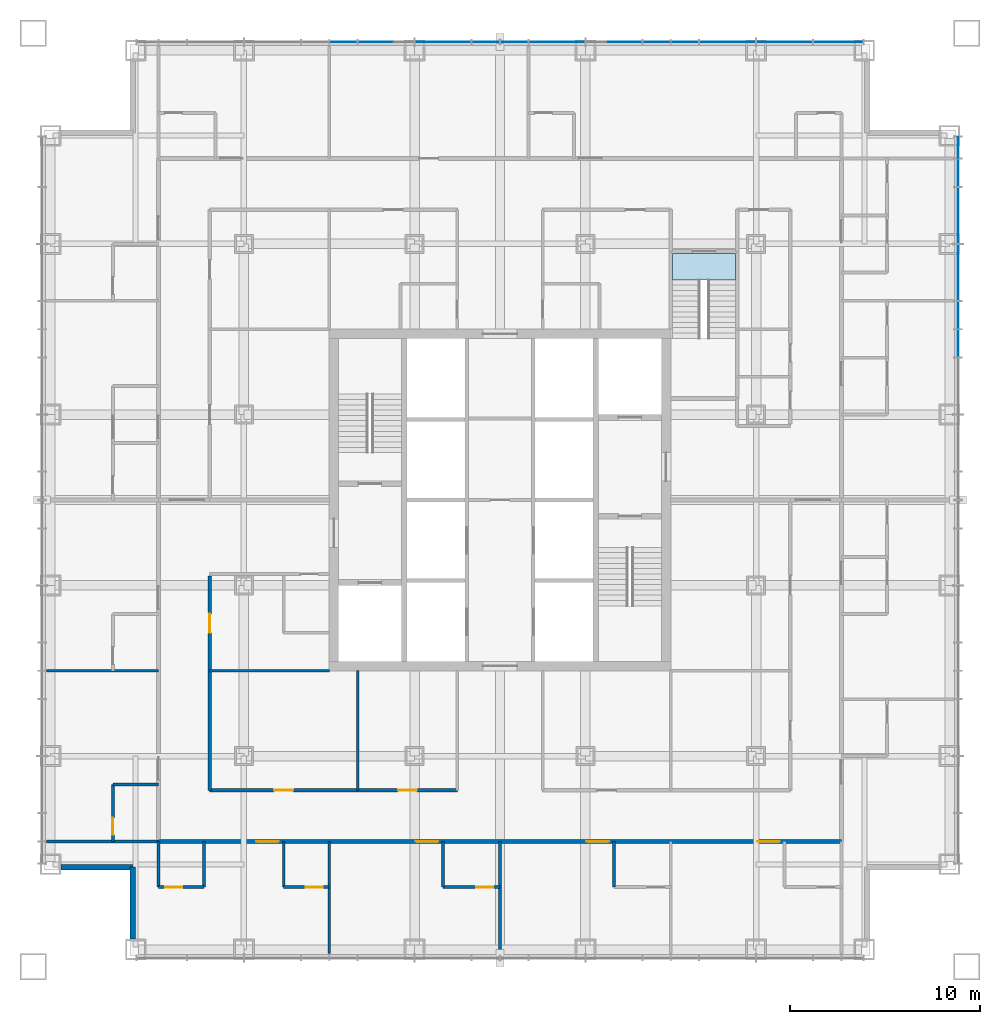
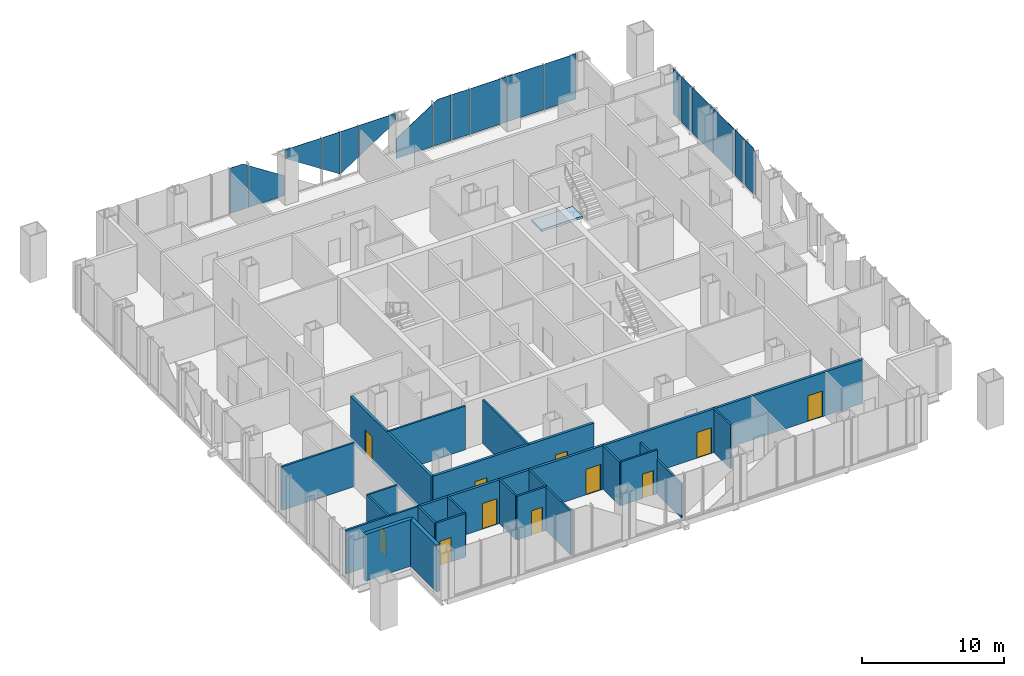
# One storey, part 8 of 13: 21 walls, 18 plates, 11 doors, 1 slab, 11 openings, 3 elements without a shape of their own.
"""IFC4 building model written with IfcOpenShell, lengths in metres."""

from ifc_helpers import new_model, si_unit, direction, frame, frame_2d, origin, origin_2d, place, context, subcontext, project, spatial, polyline, rectangle, outline, extrude, material, layer, layer_set, type_object, element, fill, aggregate, save


model = new_model("IFC4")

# Units and contexts
model_context = context("Model", 3, precision=1e-05, world=origin(), true_north=direction((0.0, 1.0)))
body_context = subcontext(model_context, "Body", "Model", "MODEL_VIEW")
ifc_project = project(units=[si_unit("LENGTHUNIT", "METRE"), si_unit("AREAUNIT", "SQUARE_METRE"), si_unit("VOLUMEUNIT", "CUBIC_METRE"), si_unit("PLANEANGLEUNIT", "RADIAN"), si_unit("MASSUNIT", "GRAM", prefix="KILO")], contexts=[model_context])

# Site, building, storey
site_placement = place(None, origin())
site = spatial("IfcSite", under=ifc_project, at=site_placement, CompositionType="ELEMENT")
building_placement = place(site_placement, origin())
building = spatial("IfcBuilding", under=site, at=building_placement, Name="Malebo Sky Hospital", CompositionType="ELEMENT")
storey_placement = place(building_placement, frame((0.0, 0.0, 156.0)))
storey = spatial("IfcBuildingStorey", under=building, at=storey_placement, Name="L37", CompositionType="ELEMENT", Elevation=156.0)

# Stair, slab
ifc_material_1 = material(Name="Concrete C40/50", Category="concrete")
stair_type = type_object("IfcStairType", Name="HALF-TURN STAIR 1400 R167", PredefinedType="HALF_TURN_STAIR", material=ifc_material_1)
stair_placement = place(storey_placement, origin())
stair = element("IfcStair", 1, at=stair_placement, inside=storey, type_object=stair_type, Name="Stair S3 L37 type ST1B", PredefinedType="HALF_TURN_STAIR")
ifc_layer_1 = layer(ifc_material_1, 0.199951171875)
ifc_layer_set_1 = layer_set([ifc_layer_1], Name="STAIR LANDING 200")
slab_type = type_object("IfcSlabType", Name="STAIR LANDING 200", PredefinedType="LANDING", material=ifc_layer_set_1)
slab_placement = place(storey_placement, frame((0.0, 0.0, -0.199951171875)))
slab = element("IfcSlab", 2, at=slab_placement, type_object=slab_type, Name="S3 landing 1", PredefinedType="LANDING", context=body_context, shape_type="SweptSolid", body=[
    extrude(outline(polyline([(69.10009765625, 73.60009765625), (72.39990234375, 73.60009765625), (72.39990234375, 75.0), (69.10009765625, 75.0), (69.10009765625, 73.60009765625)])), origin(), (0.0, 0.0, 1.0), 0.199951171875),
])
aggregate(stair, [slab])

# Curtain wall, plates
ifc_material_2 = material(Name="Anodised aluminium, natural silver", Category="aluminium")
ifc_layer_2 = layer(ifc_material_2, 0.25)
ifc_layer_set_2 = layer_set([ifc_layer_2], Name="WARD CURTAIN WALL NORTH AND SOUTH")
curtain_wall_type_1 = type_object("IfcCurtainWallType", Name="WARD CURTAIN WALL NORTH AND SOUTH", PredefinedType="NOTDEFINED", material=ifc_layer_set_2)
curtain_wall_1_placement = place(storey_placement, origin())
curtain_wall_1 = element("IfcCurtainWall", 3, at=curtain_wall_1_placement, inside=storey, type_object=curtain_wall_type_1, Name="NS curtain wall N", PredefinedType="NOTDEFINED")
ifc_material_3 = material(Name="Clear low-iron double glazing", Category="glass")
ifc_layer_3 = layer(ifc_material_3, 0.031982421875)
ifc_layer_set_3 = layer_set([ifc_layer_3], Name="VISION PANEL CLEAR 32")
plate_type = type_object("IfcPlateType", Name="VISION PANEL CLEAR 32", PredefinedType="CURTAIN_PANEL", material=ifc_layer_set_3)
plate_1_placement = place(storey_placement, frame((51.75, 86.135009765625, 0.10009765625), z_axis=(0.0, 0.0, 1.0), x_axis=(1.0, 0.0, 0.0)))
plate_1 = element("IfcPlate", 4, at=plate_1_placement, type_object=plate_type, Name="Panel 6", PredefinedType="CURTAIN_PANEL", context=body_context, shape_type="SweptSolid", body=[
    extrude(outline(polyline([(-0.71240234375, 0.0), (0.71240234375, 0.0), (0.71240234375, 3.656494140625), (0.353271484375, 3.889892578125), (-0.71240234375, 3.889892578125), (-0.71240234375, 0.0)])), frame((0.0, 0.01611328125, 0.0), z_axis=(0.0, -1.0, 0.0), x_axis=(1.0, 0.0, 0.0)), (0.0, 0.0, 1.0), 0.031982421875),
])
plate_2_placement = place(storey_placement, frame((54.0, 86.135009765625, 0.10009765625), z_axis=(0.0, 0.0, 1.0), x_axis=(1.0, 0.0, 0.0)))
plate_2 = element("IfcPlate", 5, at=plate_2_placement, type_object=plate_type, Name="Panel 7", PredefinedType="CURTAIN_PANEL", context=body_context, shape_type="SweptSolid", body=[
    extrude(outline(polyline([(-1.46240234375, 0.0), (1.46240234375, 0.0), (1.46240234375, 1.705078125), (-1.46240234375, 3.607666015625), (-1.46240234375, 0.0)])), frame((0.0, 0.01611328125, 0.0), z_axis=(0.0, -1.0, 0.0), x_axis=(1.0, 0.0, 0.0)), (0.0, 0.0, 1.0), 0.031982421875),
])
plate_3_placement = place(storey_placement, frame((57.0, 86.135009765625, 1.34619140625), z_axis=(0.0, 0.0, 1.0), x_axis=(1.0, 0.0, 0.0)))
plate_3 = element("IfcPlate", 6, at=plate_3_placement, type_object=plate_type, Name="Panel 8", PredefinedType="CURTAIN_PANEL", context=body_context, shape_type="SweptSolid", body=[
    extrude(outline(polyline([(1.46240234375, 0.0), (1.46240234375, 2.643798828125), (-1.46240234375, 2.643798828125), (-1.46240234375, 1.90234375), (1.46240234375, 0.0)])), frame((0.0, 0.01611328125, 0.0), z_axis=(0.0, -1.0, 0.0), x_axis=(1.0, 0.0, 0.0)), (0.0, 0.0, 1.0), 0.031982421875),
])
plate_4_placement = place(storey_placement, frame((59.25, 86.135009765625, 0.37060546875), z_axis=(0.0, 0.0, 1.0), x_axis=(1.0, 0.0, 0.0)))
plate_4 = element("IfcPlate", 7, at=plate_4_placement, type_object=plate_type, Name="Panel 9", PredefinedType="CURTAIN_PANEL", context=body_context, shape_type="SweptSolid", body=[
    extrude(outline(polyline([(0.71240234375, 0.0), (0.71240234375, 3.619384765625), (-0.71240234375, 3.619384765625), (-0.71240234375, 0.9267578125), (0.71240234375, 0.0)])), frame((0.0, 0.01611328125, 0.0), z_axis=(0.0, -1.0, 0.0), x_axis=(1.0, 0.0, 0.0)), (0.0, 0.0, 1.0), 0.031982421875),
])
plate_5_placement = place(storey_placement, frame((60.75, 86.135009765625, 0.37060546875), z_axis=(0.0, 0.0, 1.0), x_axis=(1.0, 0.0, 0.0)))
plate_5 = element("IfcPlate", 8, at=plate_5_placement, type_object=plate_type, Name="Panel 10", PredefinedType="CURTAIN_PANEL", context=body_context, shape_type="SweptSolid", body=[
    extrude(outline(polyline([(-0.71240234375, 0.0), (0.71240234375, 0.9267578125), (0.71240234375, 3.619384765625), (-0.71240234375, 3.619384765625), (-0.71240234375, 0.0)])), frame((0.0, 0.01611328125, 0.0), z_axis=(0.0, -1.0, 0.0), x_axis=(1.0, 0.0, 0.0)), (0.0, 0.0, 1.0), 0.031982421875),
])
plate_6_placement = place(storey_placement, frame((63.0, 86.135009765625, 1.34619140625), z_axis=(0.0, 0.0, 1.0), x_axis=(1.0, 0.0, 0.0)))
plate_6 = element("IfcPlate", 9, at=plate_6_placement, type_object=plate_type, Name="Panel 11", PredefinedType="CURTAIN_PANEL", context=body_context, shape_type="SweptSolid", body=[
    extrude(outline(polyline([(-1.46240234375, 0.0), (1.46240234375, 1.90234375), (1.46240234375, 2.643798828125), (-1.46240234375, 2.643798828125), (-1.46240234375, 0.0)])), frame((0.0, 0.01611328125, 0.0), z_axis=(0.0, -1.0, 0.0), x_axis=(1.0, 0.0, 0.0)), (0.0, 0.0, 1.0), 0.031982421875),
])
plate_7_placement = place(storey_placement, frame((66.0, 86.135009765625, 0.10009765625), z_axis=(0.0, 0.0, 1.0), x_axis=(1.0, 0.0, 0.0)))
plate_7 = element("IfcPlate", 10, at=plate_7_placement, type_object=plate_type, Name="Panel 12", PredefinedType="CURTAIN_PANEL", context=body_context, shape_type="SweptSolid", body=[
    extrude(outline(polyline([(-1.46240234375, 0.0), (1.46240234375, 0.0), (1.46240234375, 3.607666015625), (-1.46240234375, 1.705078125), (-1.46240234375, 0.0)])), frame((0.0, 0.01611328125, 0.0), z_axis=(0.0, -1.0, 0.0), x_axis=(1.0, 0.0, 0.0)), (0.0, 0.0, 1.0), 0.031982421875),
])
plate_8_placement = place(storey_placement, frame((68.25, 86.135009765625, 0.10009765625), z_axis=(0.0, 0.0, 1.0), x_axis=(1.0, 0.0, 0.0)))
plate_8 = element("IfcPlate", 11, at=plate_8_placement, type_object=plate_type, Name="Panel 13", PredefinedType="CURTAIN_PANEL", context=body_context, shape_type="SweptSolid", body=[
    extrude(outline(polyline([(-0.71240234375, 0.0), (0.71240234375, 0.0), (0.71240234375, 3.889892578125), (-0.353271484375, 3.889892578125), (-0.71240234375, 3.656494140625), (-0.71240234375, 0.0)])), frame((0.0, 0.01611328125, 0.0), z_axis=(0.0, -1.0, 0.0), x_axis=(1.0, 0.0, 0.0)), (0.0, 0.0, 1.0), 0.031982421875),
])
plate_9_placement = place(storey_placement, frame((69.75, 86.135009765625, 0.10009765625), z_axis=(0.0, 0.0, 1.0), x_axis=(1.0, 0.0, 0.0)))
plate_9 = element("IfcPlate", 12, at=plate_9_placement, type_object=plate_type, Name="Panel 14", PredefinedType="CURTAIN_PANEL", context=body_context, shape_type="SweptSolid", body=[
    extrude(rectangle(XDim=1.425048828125, YDim=0.031982421875, at=origin_2d()), origin(), (0.0, 0.0, 1.0), 3.889892578125),
])
plate_10_placement = place(storey_placement, frame((72.0, 86.135009765625, 0.10009765625), z_axis=(0.0, 0.0, 1.0), x_axis=(1.0, 0.0, 0.0)))
plate_10 = element("IfcPlate", 13, at=plate_10_placement, type_object=plate_type, Name="Panel 15", PredefinedType="CURTAIN_PANEL", context=body_context, shape_type="SweptSolid", body=[
    extrude(rectangle(XDim=2.925048828125, YDim=0.031982421875, at=origin_2d()), origin(), (0.0, 0.0, 1.0), 3.889892578125),
])
plate_11_placement = place(storey_placement, frame((75.0, 86.135009765625, 0.10009765625), z_axis=(0.0, 0.0, 1.0), x_axis=(1.0, 0.0, 0.0)))
plate_11 = element("IfcPlate", 14, at=plate_11_placement, type_object=plate_type, Name="Panel 16", PredefinedType="CURTAIN_PANEL", context=body_context, shape_type="SweptSolid", body=[
    extrude(rectangle(XDim=2.925048828125, YDim=0.031982421875, at=origin_2d()), origin(), (0.0, 0.0, 1.0), 3.889892578125),
])
plate_12_placement = place(storey_placement, frame((77.831298828125, 86.135009765625, 0.10009765625), z_axis=(0.0, 0.0, 1.0), x_axis=(1.0, 0.0, 0.0)))
plate_12 = element("IfcPlate", 15, at=plate_12_placement, type_object=plate_type, Name="Panel 17", PredefinedType="CURTAIN_PANEL", context=body_context, shape_type="SweptSolid", body=[
    extrude(rectangle(XDim=2.58740234375, YDim=0.031982421875, at=origin_2d()), origin(), (0.0, 0.0, 1.0), 3.889892578125),
])
aggregate(curtain_wall_1, [plate_1, plate_2, plate_3, plate_4, plate_5, plate_6, plate_7, plate_8, plate_9, plate_10, plate_11, plate_12])

ifc_layer_4 = layer(ifc_material_2, 0.25)
ifc_layer_set_4 = layer_set([ifc_layer_4], Name="WARD CURTAIN WALL EAST AND WEST")
curtain_wall_type_2 = type_object("IfcCurtainWallType", Name="WARD CURTAIN WALL EAST AND WEST", PredefinedType="NOTDEFINED", material=ifc_layer_set_4)
curtain_wall_2_placement = place(storey_placement, origin())
curtain_wall_2 = element("IfcCurtainWall", 16, at=curtain_wall_2_placement, inside=storey, type_object=curtain_wall_type_2, Name="EW curtain wall E", PredefinedType="NOTDEFINED")
plate_13_placement = place(storey_placement, frame((84.135009765625, 80.581298828125, 0.10009765625), z_axis=(0.0, 0.0, 1.0), x_axis=(0.0, -1.0, 0.0)))
plate_13 = element("IfcPlate", 17, at=plate_13_placement, type_object=plate_type, Name="Panel 1", PredefinedType="CURTAIN_PANEL", context=body_context, shape_type="SweptSolid", body=[
    extrude(rectangle(XDim=1.08740234375, YDim=0.031982421875, at=origin_2d()), origin(), (0.0, 0.0, 1.0), 3.889892578125),
])
plate_14_placement = place(storey_placement, frame((84.135009765625, 79.25, 0.10009765625), z_axis=(0.0, 0.0, 1.0), x_axis=(0.0, -1.0, 0.0)))
plate_14 = element("IfcPlate", 18, at=plate_14_placement, type_object=plate_type, Name="Panel 2", PredefinedType="CURTAIN_PANEL", context=body_context, shape_type="SweptSolid", body=[
    extrude(rectangle(XDim=1.425048828125, YDim=0.031982421875, at=origin_2d()), origin(), (0.0, 0.0, 1.0), 3.889892578125),
])
plate_15_placement = place(storey_placement, frame((84.135009765625, 77.0, 0.10009765625), z_axis=(0.0, 0.0, 1.0), x_axis=(0.0, -1.0, 0.0)))
plate_15 = element("IfcPlate", 19, at=plate_15_placement, type_object=plate_type, Name="Panel 3", PredefinedType="CURTAIN_PANEL", context=body_context, shape_type="SweptSolid", body=[
    extrude(rectangle(XDim=2.925048828125, YDim=0.031982421875, at=origin_2d()), origin(), (0.0, 0.0, 1.0), 3.889892578125),
])
plate_16_placement = place(storey_placement, frame((84.135009765625, 74.0, 0.10009765625), z_axis=(0.0, 0.0, 1.0), x_axis=(0.0, -1.0, 0.0)))
plate_16 = element("IfcPlate", 20, at=plate_16_placement, type_object=plate_type, Name="Panel 4", PredefinedType="CURTAIN_PANEL", context=body_context, shape_type="SweptSolid", body=[
    extrude(rectangle(XDim=2.925048828125, YDim=0.031982421875, at=origin_2d()), origin(), (0.0, 0.0, 1.0), 3.889892578125),
])
plate_17_placement = place(storey_placement, frame((84.135009765625, 71.75, 0.10009765625), z_axis=(0.0, 0.0, 1.0), x_axis=(0.0, -1.0, 0.0)))
plate_17 = element("IfcPlate", 21, at=plate_17_placement, type_object=plate_type, Name="Panel 5", PredefinedType="CURTAIN_PANEL", context=body_context, shape_type="SweptSolid", body=[
    extrude(rectangle(XDim=1.425048828125, YDim=0.031982421875, at=origin_2d()), origin(), (0.0, 0.0, 1.0), 3.889892578125),
])
plate_18_placement = place(storey_placement, frame((84.135009765625, 70.25, 0.10009765625), z_axis=(0.0, 0.0, 1.0), x_axis=(0.0, -1.0, 0.0)))
plate_18 = element("IfcPlate", 22, at=plate_18_placement, type_object=plate_type, Name="Panel 6", PredefinedType="CURTAIN_PANEL", context=body_context, shape_type="SweptSolid", body=[
    extrude(outline(polyline([(-0.71240234375, 0.0), (0.71240234375, 0.0), (0.71240234375, 3.656494140625), (0.353271484375, 3.889892578125), (-0.71240234375, 3.889892578125), (-0.71240234375, 0.0)])), frame((0.0, 0.01611328125, 0.0), z_axis=(0.0, -1.0, 0.0), x_axis=(1.0, 0.0, 0.0)), (0.0, 0.0, 1.0), 0.031982421875),
])
aggregate(curtain_wall_2, [plate_13, plate_14, plate_15, plate_16, plate_17, plate_18])

# Wall, opening, door
ifc_material_4 = material(Name="Gypsum board on steel studs", Category="steel")
ifc_layer_5 = layer(ifc_material_4, 0.199951171875)
ifc_layer_set_5 = layer_set([ifc_layer_5], Name="CORRIDOR WALL 200")
wall_type_1 = type_object("IfcWallType", Name="CORRIDOR WALL 200", PredefinedType="PARTITIONING", material=ifc_layer_set_5)
wall_1_placement = place(storey_placement, frame((44.699951171875, 46.699951171875, 0.0), z_axis=(0.0, 0.0, 1.0), x_axis=(0.0, 1.0, 0.0)))
wall_1 = element("IfcWall", 23, at=wall_1_placement, inside=storey, type_object=wall_type_1, Name="Corridor Wall 200 WCI1", PredefinedType="PARTITIONING", context=body_context, shape_type="SweptSolid", body=[
    extrude(rectangle(XDim=11.300048828125, YDim=0.199951171875, at=frame_2d((5.64990234375, 0.0))), origin(), (0.0, 0.0, 1.0), 3.75),
])
opening_1_placement = place(wall_1_placement, frame((8.300048828125, 0.0, 0.0)))
opening_1 = element("IfcOpeningElement", 24, at=opening_1_placement, cuts=wall_1, Name="Opening D03", PredefinedType="OPENING", context=body_context, shape_type="SweptSolid", body=[
    extrude(rectangle(XDim=1.0, YDim=2.10009765625, at=frame_2d((0.5, 1.050048828125))), frame((0.0, 0.10986328125, 0.0), z_axis=(0.0, -1.0, 0.0), x_axis=(1.0, 0.0, 0.0)), (0.0, 0.0, 1.0), 0.219970703125),
])
ifc_material_5 = material(Name="Hardwood-faced door leaf in steel frame", Category="steel")
door_type_1 = type_object("IfcDoorType", Name="ROOM DOOR 1000", OperationType="SINGLE_SWING_LEFT", PredefinedType="DOOR", material=ifc_material_5)
door_1_placement = place(opening_1_placement, origin())
door_1 = element("IfcDoor", 25, at=door_1_placement, inside=storey, type_object=door_type_1, Name="Ward office door", OperationType="SINGLE_SWING_LEFT", OverallHeight=2.10009765625, OverallWidth=1.0, PredefinedType="DOOR", context=body_context, shape_type="SweptSolid", body=[
    extrude(rectangle(XDim=1.0, YDim=2.10009765625, at=frame_2d((0.5, 1.050048828125))), frame((0.0, 0.02490234375, 0.0), z_axis=(0.0, -1.0, 0.0), x_axis=(1.0, 0.0, 0.0)), (0.0, 0.0, 1.0), 0.050048828125),
])
fill(opening_1, door_1)

# Wall, openings, doors
wall_2_placement = place(storey_placement, frame((78.0, 44.0, 0.0), z_axis=(0.0, 0.0, 1.0), x_axis=(-1.0, 0.0, 0.0)))
wall_2 = element("IfcWall", 26, at=wall_2_placement, inside=storey, type_object=wall_type_1, Name="Corridor Wall 200 SCO", PredefinedType="PARTITIONING", context=body_context, shape_type="SweptSolid", body=[
    extrude(rectangle(XDim=36.0, YDim=0.199951171875, at=frame_2d((18.0, 0.0))), origin(), (0.0, 0.0, 1.0), 3.75),
])
opening_2_placement = place(wall_2_placement, frame((3.25, 0.0, 0.0)))
opening_2 = element("IfcOpeningElement", 27, at=opening_2_placement, cuts=wall_2, Name="Opening D01", PredefinedType="OPENING", context=body_context, shape_type="SweptSolid", body=[
    extrude(rectangle(XDim=1.199951171875, YDim=2.199951171875, at=frame_2d((0.60009765625, 1.10009765625))), frame((0.0, 0.10986328125, 0.0), z_axis=(0.0, -1.0, 0.0), x_axis=(1.0, 0.0, 0.0)), (0.0, 0.0, 1.0), 0.219970703125),
])
opening_3_placement = place(wall_2_placement, frame((12.25, 0.0, 0.0)))
opening_3 = element("IfcOpeningElement", 28, at=opening_3_placement, cuts=wall_2, Name="Opening D01", PredefinedType="OPENING", context=body_context, shape_type="SweptSolid", body=[
    extrude(rectangle(XDim=1.199951171875, YDim=2.199951171875, at=frame_2d((0.60009765625, 1.10009765625))), frame((0.0, 0.10986328125, 0.0), z_axis=(0.0, -1.0, 0.0), x_axis=(1.0, 0.0, 0.0)), (0.0, 0.0, 1.0), 0.219970703125),
])
opening_4_placement = place(wall_2_placement, frame((21.25, 0.0, 0.0)))
opening_4 = element("IfcOpeningElement", 29, at=opening_4_placement, cuts=wall_2, Name="Opening D01", PredefinedType="OPENING", context=body_context, shape_type="SweptSolid", body=[
    extrude(rectangle(XDim=1.199951171875, YDim=2.199951171875, at=frame_2d((0.60009765625, 1.10009765625))), frame((0.0, 0.10986328125, 0.0), z_axis=(0.0, -1.0, 0.0), x_axis=(1.0, 0.0, 0.0)), (0.0, 0.0, 1.0), 0.219970703125),
])
opening_5_placement = place(wall_2_placement, frame((29.64990234375, 0.0, 0.0)))
opening_5 = element("IfcOpeningElement", 30, at=opening_5_placement, cuts=wall_2, Name="Opening D01", PredefinedType="OPENING", context=body_context, shape_type="SweptSolid", body=[
    extrude(rectangle(XDim=1.199951171875, YDim=2.199951171875, at=frame_2d((0.60009765625, 1.10009765625))), frame((0.0, 0.10986328125, 0.0), z_axis=(0.0, -1.0, 0.0), x_axis=(1.0, 0.0, 0.0)), (0.0, 0.0, 1.0), 0.219970703125),
])
door_type_2 = type_object("IfcDoorType", Name="BED DOOR 1200", OperationType="SINGLE_SWING_LEFT", PredefinedType="DOOR", material=ifc_material_5)
door_2_placement = place(opening_2_placement, origin())
door_2 = element("IfcDoor", 31, at=door_2_placement, inside=storey, type_object=door_type_2, Name="Two-bed room door", OperationType="SINGLE_SWING_LEFT", OverallHeight=2.199951171875, OverallWidth=1.199951171875, PredefinedType="DOOR", context=body_context, shape_type="SweptSolid", body=[
    extrude(rectangle(XDim=1.199951171875, YDim=2.199951171875, at=frame_2d((0.60009765625, 1.10009765625))), frame((0.0, 0.02490234375, 0.0), z_axis=(0.0, -1.0, 0.0), x_axis=(1.0, 0.0, 0.0)), (0.0, 0.0, 1.0), 0.050048828125),
])
fill(opening_2, door_2)
door_3_placement = place(opening_3_placement, origin())
door_3 = element("IfcDoor", 32, at=door_3_placement, inside=storey, type_object=door_type_2, Name="Two-bed room door", OperationType="SINGLE_SWING_LEFT", OverallHeight=2.199951171875, OverallWidth=1.199951171875, PredefinedType="DOOR", context=body_context, shape_type="SweptSolid", body=[
    extrude(rectangle(XDim=1.199951171875, YDim=2.199951171875, at=frame_2d((0.60009765625, 1.10009765625))), frame((0.0, 0.02490234375, 0.0), z_axis=(0.0, -1.0, 0.0), x_axis=(1.0, 0.0, 0.0)), (0.0, 0.0, 1.0), 0.050048828125),
])
fill(opening_3, door_3)
door_4_placement = place(opening_4_placement, origin())
door_4 = element("IfcDoor", 33, at=door_4_placement, inside=storey, type_object=door_type_2, Name="Two-bed room door", OperationType="SINGLE_SWING_LEFT", OverallHeight=2.199951171875, OverallWidth=1.199951171875, PredefinedType="DOOR", context=body_context, shape_type="SweptSolid", body=[
    extrude(rectangle(XDim=1.199951171875, YDim=2.199951171875, at=frame_2d((0.60009765625, 1.10009765625))), frame((0.0, 0.02490234375, 0.0), z_axis=(0.0, -1.0, 0.0), x_axis=(1.0, 0.0, 0.0)), (0.0, 0.0, 1.0), 0.050048828125),
])
fill(opening_4, door_4)
door_5_placement = place(opening_5_placement, origin())
door_5 = element("IfcDoor", 34, at=door_5_placement, inside=storey, type_object=door_type_2, Name="Four-bed bay door", OperationType="SINGLE_SWING_LEFT", OverallHeight=2.199951171875, OverallWidth=1.199951171875, PredefinedType="DOOR", context=body_context, shape_type="SweptSolid", body=[
    extrude(rectangle(XDim=1.199951171875, YDim=2.199951171875, at=frame_2d((0.60009765625, 1.10009765625))), frame((0.0, 0.02490234375, 0.0), z_axis=(0.0, -1.0, 0.0), x_axis=(1.0, 0.0, 0.0)), (0.0, 0.0, 1.0), 0.050048828125),
])
fill(opening_5, door_5)

wall_3_placement = place(storey_placement, frame((57.75, 46.699951171875, 0.0), z_axis=(0.0, 0.0, 1.0), x_axis=(-1.0, 0.0, 0.0)))
wall_3 = element("IfcWall", 35, at=wall_3_placement, inside=storey, type_object=wall_type_1, Name="Corridor Wall 200 SCI2", PredefinedType="PARTITIONING", context=body_context, shape_type="SweptSolid", body=[
    extrude(rectangle(XDim=13.050048828125, YDim=0.199951171875, at=frame_2d((6.52490234375, 0.0))), origin(), (0.0, 0.0, 1.0), 3.75),
])
opening_6_placement = place(wall_3_placement, frame((2.125, 0.0, 0.0)))
opening_6 = element("IfcOpeningElement", 36, at=opening_6_placement, cuts=wall_3, Name="Opening D03", PredefinedType="OPENING", context=body_context, shape_type="SweptSolid", body=[
    extrude(rectangle(XDim=1.0, YDim=2.10009765625, at=frame_2d((0.5, 1.050048828125))), frame((0.0, 0.10986328125, 0.0), z_axis=(0.0, -1.0, 0.0), x_axis=(1.0, 0.0, 0.0)), (0.0, 0.0, 1.0), 0.219970703125),
])
opening_7_placement = place(wall_3_placement, frame((8.64990234375, 0.0, 0.0)))
opening_7 = element("IfcOpeningElement", 37, at=opening_7_placement, cuts=wall_3, Name="Opening D03", PredefinedType="OPENING", context=body_context, shape_type="SweptSolid", body=[
    extrude(rectangle(XDim=1.0, YDim=2.10009765625, at=frame_2d((0.5, 1.050048828125))), frame((0.0, 0.10986328125, 0.0), z_axis=(0.0, -1.0, 0.0), x_axis=(1.0, 0.0, 0.0)), (0.0, 0.0, 1.0), 0.219970703125),
])
door_6_placement = place(opening_6_placement, origin())
door_6 = element("IfcDoor", 38, at=door_6_placement, inside=storey, type_object=door_type_1, Name="Dirty utility room door", OperationType="SINGLE_SWING_LEFT", OverallHeight=2.10009765625, OverallWidth=1.0, PredefinedType="DOOR", context=body_context, shape_type="SweptSolid", body=[
    extrude(rectangle(XDim=1.0, YDim=2.10009765625, at=frame_2d((0.5, 1.050048828125))), frame((0.0, 0.02490234375, 0.0), z_axis=(0.0, -1.0, 0.0), x_axis=(1.0, 0.0, 0.0)), (0.0, 0.0, 1.0), 0.050048828125),
])
fill(opening_6, door_6)
door_7_placement = place(opening_7_placement, origin())
door_7 = element("IfcDoor", 39, at=door_7_placement, inside=storey, type_object=door_type_1, Name="Lung function room door", OperationType="SINGLE_SWING_RIGHT", OverallHeight=2.10009765625, OverallWidth=1.0, PredefinedType="DOOR", context=body_context, shape_type="SweptSolid", body=[
    extrude(rectangle(XDim=1.0, YDim=2.10009765625, at=frame_2d((0.5, 1.050048828125))), frame((0.0, 0.02490234375, 0.0), z_axis=(0.0, -1.0, 0.0), x_axis=(1.0, 0.0, 0.0)), (0.0, 0.0, 1.0), 0.050048828125),
])
fill(opening_7, door_7)

# Walls
ifc_material_6 = material(Name="Anodised aluminium rainscreen on steel framing", Category="steel")
ifc_layer_6 = layer(ifc_material_6, 0.300048828125)
ifc_layer_set_6 = layer_set([ifc_layer_6], Name="NOTCH RAINSCREEN WALL 300")
wall_type_2 = type_object("IfcWallType", Name="NOTCH RAINSCREEN WALL 300", PredefinedType="ELEMENTEDWALL", material=ifc_layer_set_6)
for number, where, z_axis, x_axis, name in (
    (40, (40.64990234375, 38.85009765625, 0.0), (0.0, 0.0, 1.0), (0.0, 1.0, 0.0), "Notch rainscreen wall S1 L37"),
    (41, (40.64990234375, 42.64990234375, 0.0), (0.0, 0.0, 1.0), (-1.0, 0.0, 0.0), "Notch rainscreen wall S2 L37"),
):
    element("IfcWall", number, at=place(storey_placement, frame(where, z_axis=z_axis, x_axis=x_axis)), inside=storey, type_object=wall_type_2, Name=name, PredefinedType="ELEMENTEDWALL", context=body_context, shape_type="SweptSolid", body=[
        extrude(rectangle(XDim=3.7998046875, YDim=0.300048828125, at=frame_2d((1.89990234375, 0.0))), origin(), (0.0, 0.0, 1.0), 4.0),
    ])
ifc_layer_7 = layer(ifc_material_4, 0.14990234375)
ifc_layer_set_7 = layer_set([ifc_layer_7], Name="PARTITION 150")
wall_type_3 = type_object("IfcWallType", Name="PARTITION 150", PredefinedType="PARTITIONING", material=ifc_layer_set_7)
for number, where, z_axis, x_axis, name in (
    (42, (42.0, 53.0, 0.0), (0.0, 0.0, 1.0), (-1.0, 0.0, 0.0), "Partition 150 WP-9.0"),
    (43, (42.0, 44.0, 0.0), (0.0, 0.0, 1.0), (-1.0, 0.0, 0.0), "Partition 150 WP0"),
):
    element("IfcWall", number, at=place(storey_placement, frame(where, z_axis=z_axis, x_axis=x_axis)), inside=storey, type_object=wall_type_3, Name=name, PredefinedType="PARTITIONING", context=body_context, shape_type="SweptSolid", body=[
        extrude(rectangle(XDim=5.909912109375, YDim=0.14990234375, at=frame_2d((2.955078125, 0.0))), origin(), (0.0, 0.0, 1.0), 3.75),
    ])

# Wall, opening, door
wall_4_placement = place(storey_placement, frame((39.60009765625, 44.0, 0.0), z_axis=(0.0, 0.0, 1.0), x_axis=(0.0, 1.0, 0.0)))
wall_4 = element("IfcWall", 44, at=wall_4_placement, inside=storey, type_object=wall_type_3, Name="Partition 150 WE0F", PredefinedType="PARTITIONING", context=body_context, shape_type="SweptSolid", body=[
    extrude(rectangle(XDim=3.0, YDim=0.14990234375, at=frame_2d((1.5, 0.0))), origin(), (0.0, 0.0, 1.0), 3.75),
])
opening_8_placement = place(wall_4_placement, frame((0.35009765625, 0.0, 0.0)))
opening_8 = element("IfcOpeningElement", 45, at=opening_8_placement, cuts=wall_4, Name="Opening D02", PredefinedType="OPENING", context=body_context, shape_type="SweptSolid", body=[
    extrude(rectangle(XDim=0.89990234375, YDim=2.10009765625, at=frame_2d((0.449951171875, 1.050048828125))), frame((0.0, 0.0849609375, 0.0), z_axis=(0.0, -1.0, 0.0), x_axis=(1.0, 0.0, 0.0)), (0.0, 0.0, 1.0), 0.169921875),
])
door_type_3 = type_object("IfcDoorType", Name="EN-SUITE DOOR 900", OperationType="SINGLE_SWING_LEFT", PredefinedType="DOOR", material=ifc_material_5)
door_8_placement = place(opening_8_placement, origin())
door_8 = element("IfcDoor", 46, at=door_8_placement, inside=storey, type_object=door_type_3, Name="En-suite door", OperationType="SINGLE_SWING_LEFT", OverallHeight=2.10009765625, OverallWidth=0.89990234375, PredefinedType="DOOR", context=body_context, shape_type="SweptSolid", body=[
    extrude(rectangle(XDim=0.89990234375, YDim=2.10009765625, at=frame_2d((0.449951171875, 1.050048828125))), frame((0.0, 0.02490234375, 0.0), z_axis=(0.0, -1.0, 0.0), x_axis=(1.0, 0.0, 0.0)), (0.0, 0.0, 1.0), 0.050048828125),
])
fill(opening_8, door_8)

# Walls
wall_5_placement = place(storey_placement, frame((42.0, 47.0, 0.0), z_axis=(0.0, 0.0, 1.0), x_axis=(-1.0, 0.0, 0.0)))
element("IfcWall", 47, at=wall_5_placement, inside=storey, type_object=wall_type_3, Name="Partition 150 WE0S", PredefinedType="PARTITIONING", context=body_context, shape_type="SweptSolid", body=[
    extrude(rectangle(XDim=2.39990234375, YDim=0.14990234375, at=frame_2d((1.199951171875, 0.0))), origin(), (0.0, 0.0, 1.0), 3.75),
])
wall_6_placement = place(storey_placement, frame((51.0, 53.0, 0.0), z_axis=(0.0, 0.0, 1.0), x_axis=(-1.0, 0.0, 0.0)))
element("IfcWall", 48, at=wall_6_placement, inside=storey, type_object=wall_type_3, Name="Partition 150 WSP0", PredefinedType="PARTITIONING", context=body_context, shape_type="SweptSolid", body=[
    extrude(rectangle(XDim=6.300048828125, YDim=0.14990234375, at=frame_2d((3.14990234375, 0.0))), origin(), (0.0, 0.0, 1.0), 3.75),
])
wall_7_placement = place(storey_placement, frame((60.0, 44.0, 0.0), z_axis=(0.0, 0.0, 1.0), x_axis=(0.0, -1.0, 0.0)))
element("IfcWall", 49, at=wall_7_placement, inside=storey, type_object=wall_type_3, Name="Partition 150 SP+0.0", PredefinedType="PARTITIONING", context=body_context, shape_type="SweptSolid", body=[
    extrude(rectangle(XDim=5.909912109375, YDim=0.14990234375, at=frame_2d((2.955078125, 0.0))), origin(), (0.0, 0.0, 1.0), 2.949951171875),
])
wall_8_placement = place(storey_placement, frame((51.0, 44.0, 0.0), z_axis=(0.0, 0.0, 1.0), x_axis=(0.0, -1.0, 0.0)))
element("IfcWall", 50, at=wall_8_placement, inside=storey, type_object=wall_type_3, Name="Partition 150 SP+9.0", PredefinedType="PARTITIONING", context=body_context, shape_type="SweptSolid", body=[
    extrude(rectangle(XDim=5.909912109375, YDim=0.14990234375, at=frame_2d((2.955078125, 0.0))), origin(), (0.0, 0.0, 1.0), 3.75),
])
wall_9_placement = place(storey_placement, frame((66.0, 44.0, 0.0), z_axis=(0.0, 0.0, 1.0), x_axis=(0.0, -1.0, 0.0)))
element("IfcWall", 51, at=wall_9_placement, inside=storey, type_object=wall_type_3, Name="Partition 150 SE1S", PredefinedType="PARTITIONING", context=body_context, shape_type="SweptSolid", body=[
    extrude(rectangle(XDim=2.39990234375, YDim=0.14990234375, at=frame_2d((1.199951171875, 0.0))), origin(), (0.0, 0.0, 1.0), 3.75),
])

# Wall, opening, door
wall_10_placement = place(storey_placement, frame((60.0, 41.60009765625, 0.0), z_axis=(0.0, 0.0, 1.0), x_axis=(-1.0, 0.0, 0.0)))
wall_10 = element("IfcWall", 52, at=wall_10_placement, inside=storey, type_object=wall_type_3, Name="Partition 150 SE2F", PredefinedType="PARTITIONING", context=body_context, shape_type="SweptSolid", body=[
    extrude(rectangle(XDim=3.0, YDim=0.14990234375, at=frame_2d((1.5, 0.0))), origin(), (0.0, 0.0, 1.0), 3.75),
])
opening_9_placement = place(wall_10_placement, frame((0.35009765625, 0.0, 0.0)))
opening_9 = element("IfcOpeningElement", 53, at=opening_9_placement, cuts=wall_10, Name="Opening D02", PredefinedType="OPENING", context=body_context, shape_type="SweptSolid", body=[
    extrude(rectangle(XDim=0.89990234375, YDim=2.10009765625, at=frame_2d((0.449951171875, 1.050048828125))), frame((0.0, 0.0849609375, 0.0), z_axis=(0.0, -1.0, 0.0), x_axis=(1.0, 0.0, 0.0)), (0.0, 0.0, 1.0), 0.169921875),
])
door_9_placement = place(opening_9_placement, origin())
door_9 = element("IfcDoor", 54, at=door_9_placement, inside=storey, type_object=door_type_3, Name="En-suite door", OperationType="SINGLE_SWING_LEFT", OverallHeight=2.10009765625, OverallWidth=0.89990234375, PredefinedType="DOOR", context=body_context, shape_type="SweptSolid", body=[
    extrude(rectangle(XDim=0.89990234375, YDim=2.10009765625, at=frame_2d((0.449951171875, 1.050048828125))), frame((0.0, 0.02490234375, 0.0), z_axis=(0.0, -1.0, 0.0), x_axis=(1.0, 0.0, 0.0)), (0.0, 0.0, 1.0), 0.050048828125),
])
fill(opening_9, door_9)

# Wall
wall_11_placement = place(storey_placement, frame((57.0, 44.0, 0.0), z_axis=(0.0, 0.0, 1.0), x_axis=(0.0, -1.0, 0.0)))
element("IfcWall", 55, at=wall_11_placement, inside=storey, type_object=wall_type_3, Name="Partition 150 SE2S", PredefinedType="PARTITIONING", context=body_context, shape_type="SweptSolid", body=[
    extrude(rectangle(XDim=2.39990234375, YDim=0.14990234375, at=frame_2d((1.199951171875, 0.0))), origin(), (0.0, 0.0, 1.0), 3.75),
])

# Wall, opening, door
wall_12_placement = place(storey_placement, frame((51.0, 41.60009765625, 0.0), z_axis=(0.0, 0.0, 1.0), x_axis=(-1.0, 0.0, 0.0)))
wall_12 = element("IfcWall", 56, at=wall_12_placement, inside=storey, type_object=wall_type_3, Name="Partition 150 SE3F", PredefinedType="PARTITIONING", context=body_context, shape_type="SweptSolid", body=[
    extrude(rectangle(XDim=2.39990234375, YDim=0.14990234375, at=frame_2d((1.199951171875, 0.0))), origin(), (0.0, 0.0, 1.0), 3.75),
])
opening_10_placement = place(wall_12_placement, frame((0.35009765625, 0.0, 0.0)))
opening_10 = element("IfcOpeningElement", 57, at=opening_10_placement, cuts=wall_12, Name="Opening D02", PredefinedType="OPENING", context=body_context, shape_type="SweptSolid", body=[
    extrude(rectangle(XDim=0.89990234375, YDim=2.10009765625, at=frame_2d((0.449951171875, 1.050048828125))), frame((0.0, 0.0849609375, 0.0), z_axis=(0.0, -1.0, 0.0), x_axis=(1.0, 0.0, 0.0)), (0.0, 0.0, 1.0), 0.169921875),
])
door_10_placement = place(opening_10_placement, origin())
door_10 = element("IfcDoor", 58, at=door_10_placement, inside=storey, type_object=door_type_3, Name="En-suite door", OperationType="SINGLE_SWING_LEFT", OverallHeight=2.10009765625, OverallWidth=0.89990234375, PredefinedType="DOOR", context=body_context, shape_type="SweptSolid", body=[
    extrude(rectangle(XDim=0.89990234375, YDim=2.10009765625, at=frame_2d((0.449951171875, 1.050048828125))), frame((0.0, 0.02490234375, 0.0), z_axis=(0.0, -1.0, 0.0), x_axis=(1.0, 0.0, 0.0)), (0.0, 0.0, 1.0), 0.050048828125),
])
fill(opening_10, door_10)

# Wall
wall_13_placement = place(storey_placement, frame((48.60009765625, 44.0, 0.0), z_axis=(0.0, 0.0, 1.0), x_axis=(0.0, -1.0, 0.0)))
element("IfcWall", 59, at=wall_13_placement, inside=storey, type_object=wall_type_3, Name="Partition 150 SE3S", PredefinedType="PARTITIONING", context=body_context, shape_type="SweptSolid", body=[
    extrude(rectangle(XDim=2.39990234375, YDim=0.14990234375, at=frame_2d((1.199951171875, 0.0))), origin(), (0.0, 0.0, 1.0), 3.75),
])

# Wall, opening, door
wall_14_placement = place(storey_placement, frame((44.39990234375, 41.60009765625, 0.0), z_axis=(0.0, 0.0, 1.0), x_axis=(-1.0, 0.0, 0.0)))
wall_14 = element("IfcWall", 60, at=wall_14_placement, inside=storey, type_object=wall_type_3, Name="Partition 150 SG3F", PredefinedType="PARTITIONING", context=body_context, shape_type="SweptSolid", body=[
    extrude(rectangle(XDim=2.39990234375, YDim=0.14990234375, at=frame_2d((1.199951171875, 0.0))), origin(), (0.0, 0.0, 1.0), 3.75),
])
opening_11_placement = place(wall_14_placement, frame((1.14990234375, 0.0, 0.0)))
opening_11 = element("IfcOpeningElement", 61, at=opening_11_placement, cuts=wall_14, Name="Opening D02", PredefinedType="OPENING", context=body_context, shape_type="SweptSolid", body=[
    extrude(rectangle(XDim=0.89990234375, YDim=2.10009765625, at=frame_2d((0.449951171875, 1.050048828125))), frame((0.0, 0.0849609375, 0.0), z_axis=(0.0, -1.0, 0.0), x_axis=(1.0, 0.0, 0.0)), (0.0, 0.0, 1.0), 0.169921875),
])
door_11_placement = place(opening_11_placement, origin())
door_11 = element("IfcDoor", 62, at=door_11_placement, inside=storey, type_object=door_type_3, Name="En-suite door", OperationType="SINGLE_SWING_RIGHT", OverallHeight=2.10009765625, OverallWidth=0.89990234375, PredefinedType="DOOR", context=body_context, shape_type="SweptSolid", body=[
    extrude(rectangle(XDim=0.89990234375, YDim=2.10009765625, at=frame_2d((0.449951171875, 1.050048828125))), frame((0.0, 0.02490234375, 0.0), z_axis=(0.0, -1.0, 0.0), x_axis=(1.0, 0.0, 0.0)), (0.0, 0.0, 1.0), 0.050048828125),
])
fill(opening_11, door_11)

# Walls
for number, where, z_axis, x_axis, name in (
    (63, (44.39990234375, 44.0, 0.0), (0.0, 0.0, 1.0), (0.0, -1.0, 0.0), "Partition 150 SG3S"),
    (64, (42.0, 44.0, 0.0), (0.0, 0.0, 1.0), (0.0, -1.0, 0.0), "Partition 150 SEZ"),
):
    element("IfcWall", number, at=place(storey_placement, frame(where, z_axis=z_axis, x_axis=x_axis)), inside=storey, type_object=wall_type_3, Name=name, PredefinedType="PARTITIONING", context=body_context, shape_type="SweptSolid", body=[
        extrude(rectangle(XDim=2.39990234375, YDim=0.14990234375, at=frame_2d((1.199951171875, 0.0))), origin(), (0.0, 0.0, 1.0), 3.75),
    ])
wall_15_placement = place(storey_placement, frame((52.5, 53.0, 0.0), z_axis=(0.0, 0.0, 1.0), x_axis=(0.0, -1.0, 0.0)))
element("IfcWall", 65, at=wall_15_placement, inside=storey, type_object=wall_type_3, Name="Partition 150 SSP+7.5", PredefinedType="PARTITIONING", context=body_context, shape_type="SweptSolid", body=[
    extrude(rectangle(XDim=6.300048828125, YDim=0.14990234375, at=frame_2d((3.14990234375, 0.0))), origin(), (0.0, 0.0, 1.0), 3.75),
])

save(model, "model.ifc")
